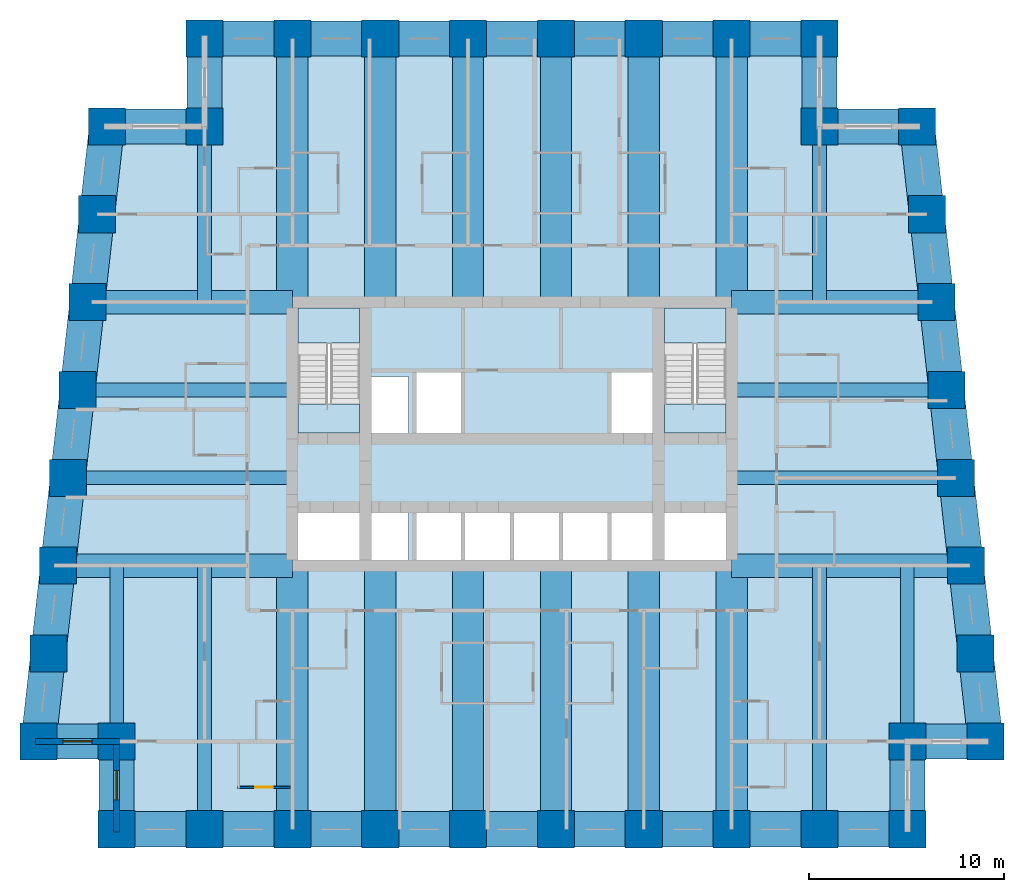
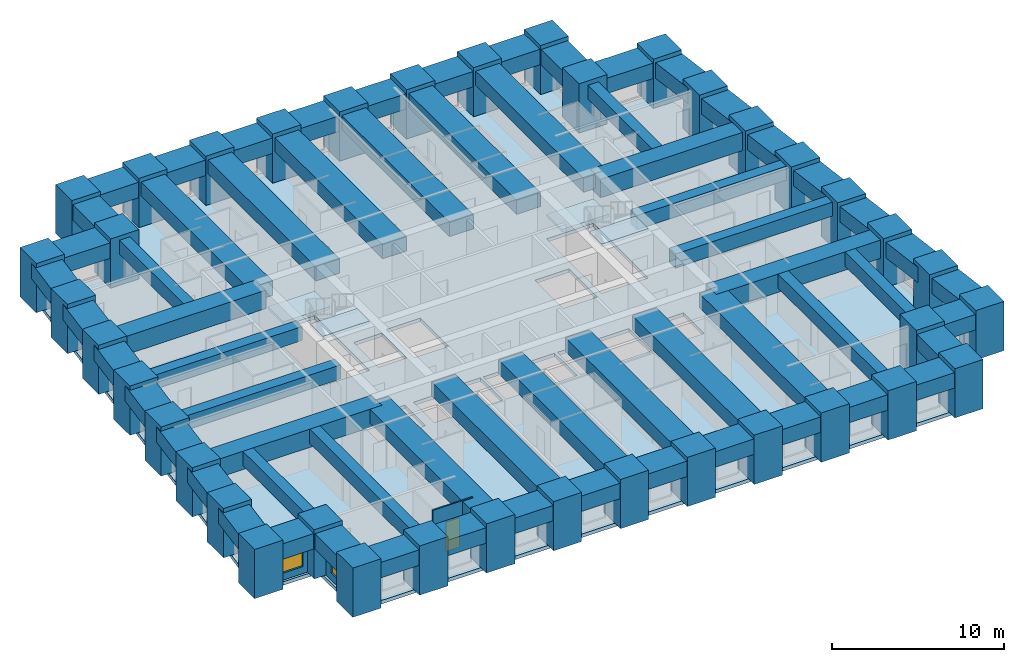
# One storey, part 1 of 8: 64 beams, 38 columns, 5 slabs, 3 walls, 2 windows, 1 door, 3 openings, 2 elements without a shape of their own.
"""IFC4 building model written with IfcOpenShell, lengths in metres."""

from ifc_helpers import new_model, si_unit, direction, frame, frame_2d, origin, origin_2d, place, context, subcontext, project, spatial, polyline, rectangle, outline, extrude, material, layer, layer_set, material_profile, profile_set, type_object, element, fill, aggregate, save


model = new_model("IFC4")

# Units and contexts
model_context = context("Model", 3, precision=1e-05, world=origin(), true_north=direction((0.0, 1.0)))
body_context = subcontext(model_context, "Body", "Model", "MODEL_VIEW")
ifc_project = project(units=[si_unit("LENGTHUNIT", "METRE"), si_unit("AREAUNIT", "SQUARE_METRE"), si_unit("VOLUMEUNIT", "CUBIC_METRE"), si_unit("PLANEANGLEUNIT", "RADIAN"), si_unit("MASSUNIT", "GRAM", prefix="KILO")], contexts=[model_context])

# Site, building, storey
site_placement = place(None, origin())
site = spatial("IfcSite", under=ifc_project, at=site_placement, CompositionType="ELEMENT")
building_placement = place(site_placement, origin())
building = spatial("IfcBuilding", under=site, at=building_placement, Name="Kilele Tower Hotel", CompositionType="ELEMENT")
storey_placement = place(building_placement, frame((0.0, 0.0, 82.199951171875)))
storey = spatial("IfcBuildingStorey", under=building, at=storey_placement, Name="L20", CompositionType="ELEMENT", Elevation=82.199951171875)

# Columns
ifc_material_1 = material(Name="Concrete C80/95", Category="concrete")
ifc_material_profile_1 = material_profile(ifc_material_1, rectangle(XDim=1.89990234375, YDim=1.89990234375, at=origin_2d()))
ifc_profile_set_1 = profile_set([ifc_material_profile_1], Name="Concrete C80/95")
column_type = type_object("IfcColumnType", Name="Tube column RC 1900x1900 C80/95", PredefinedType="COLUMN", material=ifc_profile_set_1)
for number, where, z_axis, x_axis, name in (
    (1, (0.5, 4.5, 0.0), (0.0, 0.0, 1.0), (1.0, 0.0, 0.0), "Column TC1 L20"),
    (2, (4.5, 4.5, 0.0), (0.0, 0.0, 1.0), (1.0, 0.0, 0.0), "Column TC1 L20"),
    (3, (4.5, 0.0, 0.0), (0.0, 0.0, 1.0), (1.0, 0.0, 0.0), "Column TC1 L20"),
    (4, (9.0, 0.0, 0.0), (0.0, 0.0, 1.0), (1.0, 0.0, 0.0), "Column TC1 L20"),
    (5, (13.5, 0.0, 0.0), (0.0, 0.0, 1.0), (1.0, 0.0, 0.0), "Column TC1 L20"),
    (6, (18.0, 0.0, 0.0), (0.0, 0.0, 1.0), (1.0, 0.0, 0.0), "Column TC1 L20"),
    (7, (22.5, 0.0, 0.0), (0.0, 0.0, 1.0), (1.0, 0.0, 0.0), "Column TC1 L20"),
    (8, (27.0, 0.0, 0.0), (0.0, 0.0, 1.0), (1.0, 0.0, 0.0), "Column TC1 L20"),
    (9, (31.5, 0.0, 0.0), (0.0, 0.0, 1.0), (1.0, 0.0, 0.0), "Column TC1 L20"),
    (10, (36.0, 0.0, 0.0), (0.0, 0.0, 1.0), (1.0, 0.0, 0.0), "Column TC1 L20"),
    (11, (40.5, 0.0, 0.0), (0.0, 0.0, 1.0), (1.0, 0.0, 0.0), "Column TC1 L20"),
    (12, (45.0, 0.0, 0.0), (0.0, 0.0, 1.0), (1.0, 0.0, 0.0), "Column TC1 L20"),
    (13, (45.0, 4.5, 0.0), (0.0, 0.0, 1.0), (1.0, 0.0, 0.0), "Column TC1 L20"),
    (14, (49.0, 4.5, 0.0), (0.0, 0.0, 1.0), (1.0, 0.0, 0.0), "Column TC1 L20"),
    (15, (48.5, 9.0, 0.0), (0.0, 0.0, 1.0), (1.0, 0.0, 0.0), "Column TC1 L20"),
    (16, (48.0, 13.5, 0.0), (0.0, 0.0, 1.0), (1.0, 0.0, 0.0), "Column TC1 L20"),
    (17, (47.5, 18.0, 0.0), (0.0, 0.0, 1.0), (1.0, 0.0, 0.0), "Column TC1 L20"),
    (18, (47.0, 22.5, 0.0), (0.0, 0.0, 1.0), (1.0, 0.0, 0.0), "Column TC1 L20"),
    (19, (46.5, 27.0, 0.0), (0.0, 0.0, 1.0), (1.0, 0.0, 0.0), "Column TC1 L20"),
    (20, (46.0, 31.5, 0.0), (0.0, 0.0, 1.0), (1.0, 0.0, 0.0), "Column TC1 L20"),
    (21, (45.5, 36.0, 0.0), (0.0, 0.0, 1.0), (1.0, 0.0, 0.0), "Column TC1 L20"),
    (22, (40.5, 36.0, 0.0), (0.0, 0.0, 1.0), (1.0, 0.0, 0.0), "Column TC1 L20"),
    (23, (40.5, 40.5, 0.0), (0.0, 0.0, 1.0), (1.0, 0.0, 0.0), "Column TC1 L20"),
    (24, (36.0, 40.5, 0.0), (0.0, 0.0, 1.0), (1.0, 0.0, 0.0), "Column TC1 L20"),
    (25, (31.5, 40.5, 0.0), (0.0, 0.0, 1.0), (1.0, 0.0, 0.0), "Column TC1 L20"),
    (26, (27.0, 40.5, 0.0), (0.0, 0.0, 1.0), (1.0, 0.0, 0.0), "Column TC1 L20"),
    (27, (22.5, 40.5, 0.0), (0.0, 0.0, 1.0), (1.0, 0.0, 0.0), "Column TC1 L20"),
    (28, (18.0, 40.5, 0.0), (0.0, 0.0, 1.0), (1.0, 0.0, 0.0), "Column TC1 L20"),
    (29, (13.5, 40.5, 0.0), (0.0, 0.0, 1.0), (1.0, 0.0, 0.0), "Column TC1 L20"),
    (30, (9.0, 40.5, 0.0), (0.0, 0.0, 1.0), (1.0, 0.0, 0.0), "Column TC1 L20"),
    (31, (9.0, 36.0, 0.0), (0.0, 0.0, 1.0), (1.0, 0.0, 0.0), "Column TC1 L20"),
    (32, (4.0, 36.0, 0.0), (0.0, 0.0, 1.0), (1.0, 0.0, 0.0), "Column TC1 L20"),
    (33, (3.5, 31.5, 0.0), (0.0, 0.0, 1.0), (1.0, 0.0, 0.0), "Column TC1 L20"),
    (34, (3.0, 27.0, 0.0), (0.0, 0.0, 1.0), (1.0, 0.0, 0.0), "Column TC1 L20"),
    (35, (2.5, 22.5, 0.0), (0.0, 0.0, 1.0), (1.0, 0.0, 0.0), "Column TC1 L20"),
    (36, (2.0, 18.0, 0.0), (0.0, 0.0, 1.0), (1.0, 0.0, 0.0), "Column TC1 L20"),
    (37, (1.5, 13.5, 0.0), (0.0, 0.0, 1.0), (1.0, 0.0, 0.0), "Column TC1 L20"),
    (38, (1.0, 9.0, 0.0), (0.0, 0.0, 1.0), (1.0, 0.0, 0.0), "Column TC1 L20"),
):
    element("IfcColumn", number, at=place(storey_placement, frame(where, z_axis=z_axis, x_axis=x_axis)), inside=storey, type_object=column_type, Name=name, PredefinedType="COLUMN", context=body_context, shape_type="SweptSolid", body=[
        extrude(rectangle(XDim=1.89990234375, YDim=1.89990234375, at=origin_2d()), origin(), (0.0, 0.0, 1.0), 3.5),
    ])

# Beams
ifc_material_2 = material(Name="Concrete C60/75", Category="concrete")
ifc_material_profile_2 = material_profile(ifc_material_2, rectangle(XDim=1.60009765625, YDim=1.0, at=origin_2d()))
ifc_profile_set_2 = profile_set([ifc_material_profile_2], Name="Concrete C60/75")
beam_type_1 = type_object("IfcBeamType", Name="Beam RC 1600x1000 C60/75", PredefinedType="BEAM", material=ifc_profile_set_2)
for number, where, z_axis, x_axis, name in (
    (39, (13.5, 0.0, 2.699951171875), (0.0, 1.0, 0.0), (-1.0, 0.0, 0.0), "Beam BC1 level L21"),
    (40, (18.0, 0.0, 2.699951171875), (0.0, 1.0, 0.0), (-1.0, 0.0, 0.0), "Beam BC1 level L21"),
    (41, (22.5, 0.0, 2.699951171875), (0.0, 1.0, 0.0), (-1.0, 0.0, 0.0), "Beam BC1 level L21"),
    (42, (27.0, 0.0, 2.699951171875), (0.0, 1.0, 0.0), (-1.0, 0.0, 0.0), "Beam BC1 level L21"),
    (43, (31.5, 0.0, 2.699951171875), (0.0, 1.0, 0.0), (-1.0, 0.0, 0.0), "Beam BC1 level L21"),
    (44, (36.0, 0.0, 2.699951171875), (0.0, 1.0, 0.0), (-1.0, 0.0, 0.0), "Beam BC1 level L21"),
    (45, (36.0, 40.5, 2.699951171875), (0.0, -1.0, 0.0), (1.0, 0.0, 0.0), "Beam BC1 level L21"),
    (46, (31.5, 40.5, 2.699951171875), (0.0, -1.0, 0.0), (1.0, 0.0, 0.0), "Beam BC1 level L21"),
    (47, (27.0, 40.5, 2.699951171875), (0.0, -1.0, 0.0), (1.0, 0.0, 0.0), "Beam BC1 level L21"),
    (48, (22.5, 40.5, 2.699951171875), (0.0, -1.0, 0.0), (1.0, 0.0, 0.0), "Beam BC1 level L21"),
    (49, (18.0, 40.5, 2.699951171875), (0.0, -1.0, 0.0), (1.0, 0.0, 0.0), "Beam BC1 level L21"),
    (50, (13.5, 40.5, 2.699951171875), (0.0, -1.0, 0.0), (1.0, 0.0, 0.0), "Beam BC1 level L21"),
):
    element("IfcBeam", number, at=place(storey_placement, frame(where, z_axis=z_axis, x_axis=x_axis)), inside=storey, type_object=beam_type_1, Name=name, PredefinedType="BEAM", context=body_context, shape_type="SweptSolid", body=[
        extrude(rectangle(XDim=1.60009765625, YDim=1.0, at=origin_2d()), origin(), (0.0, 0.0, 1.0), 13.5),
    ])
ifc_material_3 = material(Name="Concrete C60/75", Category="concrete")
ifc_material_profile_3 = material_profile(ifc_material_3, rectangle(XDim=0.699951171875, YDim=1.0, at=origin_2d()))
ifc_profile_set_3 = profile_set([ifc_material_profile_3], Name="Concrete C60/75")
beam_type_2 = type_object("IfcBeamType", Name="Beam RC 700x1000 C60/75", PredefinedType="BEAM", material=ifc_profile_set_3)
for number, where, z_axis, x_axis, name in (
    (51, (9.0, 0.0, 2.699951171875), (0.0, 1.0, 0.0), (-1.0, 0.0, 0.0), "Beam B4 level L21"),
    (52, (40.5, 0.0, 2.699951171875), (0.0, 1.0, 0.0), (-1.0, 0.0, 0.0), "Beam B4 level L21"),
):
    element("IfcBeam", number, at=place(storey_placement, frame(where, z_axis=z_axis, x_axis=x_axis)), inside=storey, type_object=beam_type_2, Name=name, PredefinedType="BEAM", context=body_context, shape_type="SweptSolid", body=[
        extrude(rectangle(XDim=0.699951171875, YDim=1.0, at=origin_2d()), origin(), (0.0, 0.0, 1.0), 13.5),
    ])
ifc_material_4 = material(Name="Concrete C60/75", Category="concrete")
ifc_material_profile_4 = material_profile(ifc_material_4, rectangle(XDim=0.699951171875, YDim=1.0, at=origin_2d()))
ifc_profile_set_4 = profile_set([ifc_material_profile_4], Name="Concrete C60/75")
beam_type_3 = type_object("IfcBeamType", Name="Beam RC 700x1000 C60/75 mid span", PredefinedType="BEAM", material=ifc_profile_set_4)
for number, where, z_axis, x_axis, name in (
    (53, (4.5, 4.5, 2.699951171875), (0.0, 1.0, 0.0), (-1.0, 0.0, 0.0), "Beam B5 level L21"),
    (54, (45.0, 4.5, 2.699951171875), (0.0, 1.0, 0.0), (-1.0, 0.0, 0.0), "Beam B5 level L21"),
):
    element("IfcBeam", number, at=place(storey_placement, frame(where, z_axis=z_axis, x_axis=x_axis)), inside=storey, type_object=beam_type_3, Name=name, PredefinedType="BEAM", context=body_context, shape_type="SweptSolid", body=[
        extrude(rectangle(XDim=0.699951171875, YDim=1.0, at=origin_2d()), origin(), (0.0, 0.0, 1.0), 9.0),
    ])
beam_1_placement = place(storey_placement, frame((47.5, 18.0, 2.699951171875), z_axis=(-1.0, 0.0, 0.0), x_axis=(0.0, -1.0, 0.0)))
element("IfcBeam", 55, at=beam_1_placement, inside=storey, type_object=beam_type_3, Name="Beam B5 level L21", PredefinedType="BEAM", context=body_context, shape_type="SweptSolid", body=[
    extrude(rectangle(XDim=0.699951171875, YDim=1.0, at=origin_2d()), origin(), (0.0, 0.0, 1.0), 11.5),
])
beam_2_placement = place(storey_placement, frame((47.0, 22.5, 2.699951171875), z_axis=(-1.0, 0.0, 0.0), x_axis=(0.0, -1.0, 0.0)))
element("IfcBeam", 56, at=beam_2_placement, inside=storey, type_object=beam_type_3, Name="Beam B5 level L21", PredefinedType="BEAM", context=body_context, shape_type="SweptSolid", body=[
    extrude(rectangle(XDim=0.699951171875, YDim=1.0, at=origin_2d()), origin(), (0.0, 0.0, 1.0), 11.0),
])
for number, where, z_axis, x_axis, name in (
    (57, (40.5, 36.0, 2.699951171875), (0.0, -1.0, 0.0), (1.0, 0.0, 0.0), "Beam B5 level L21"),
    (58, (9.0, 36.0, 2.699951171875), (0.0, -1.0, 0.0), (1.0, 0.0, 0.0), "Beam B5 level L21"),
):
    element("IfcBeam", number, at=place(storey_placement, frame(where, z_axis=z_axis, x_axis=x_axis)), inside=storey, type_object=beam_type_3, Name=name, PredefinedType="BEAM", context=body_context, shape_type="SweptSolid", body=[
        extrude(rectangle(XDim=0.699951171875, YDim=1.0, at=origin_2d()), origin(), (0.0, 0.0, 1.0), 9.0),
    ])
beam_3_placement = place(storey_placement, frame((2.5, 22.5, 2.699951171875), z_axis=(1.0, 0.0, 0.0), x_axis=(0.0, 1.0, 0.0)))
element("IfcBeam", 59, at=beam_3_placement, inside=storey, type_object=beam_type_3, Name="Beam B5 level L21", PredefinedType="BEAM", context=body_context, shape_type="SweptSolid", body=[
    extrude(rectangle(XDim=0.699951171875, YDim=1.0, at=origin_2d()), origin(), (0.0, 0.0, 1.0), 11.0),
])
beam_4_placement = place(storey_placement, frame((2.0, 18.0, 2.699951171875), z_axis=(1.0, 0.0, 0.0), x_axis=(0.0, 1.0, 0.0)))
element("IfcBeam", 60, at=beam_4_placement, inside=storey, type_object=beam_type_3, Name="Beam B5 level L21", PredefinedType="BEAM", context=body_context, shape_type="SweptSolid", body=[
    extrude(rectangle(XDim=0.699951171875, YDim=1.0, at=origin_2d()), origin(), (0.0, 0.0, 1.0), 11.5),
])
ifc_material_5 = material(Name="Concrete C60/75", Category="concrete")
ifc_material_profile_5 = material_profile(ifc_material_5, rectangle(XDim=1.199951171875, YDim=1.300048828125, at=origin_2d()))
ifc_profile_set_5 = profile_set([ifc_material_profile_5], Name="Concrete C60/75")
beam_type_4 = type_object("IfcBeamType", Name="Girder RC 1200x1300 C60/75", PredefinedType="BEAM", material=ifc_profile_set_5)
for number, where, z_axis, x_axis, name in (
    (61, (48.0, 13.5, 2.550048828125), (-1.0, 0.0, 0.0), (0.0, -1.0, 0.0), "Girder G1 level L21"),
    (62, (1.5, 13.5, 2.550048828125), (1.0, 0.0, 0.0), (0.0, 1.0, 0.0), "Girder G1 level L21"),
):
    element("IfcBeam", number, at=place(storey_placement, frame(where, z_axis=z_axis, x_axis=x_axis)), inside=storey, type_object=beam_type_4, Name=name, PredefinedType="BEAM", context=body_context, shape_type="SweptSolid", body=[
        extrude(rectangle(XDim=1.199951171875, YDim=1.300048828125, at=origin_2d()), origin(), (0.0, 0.0, 1.0), 12.0),
    ])
ifc_material_6 = material(Name="Concrete C60/75", Category="concrete")
ifc_material_profile_6 = material_profile(ifc_material_6, rectangle(XDim=1.199951171875, YDim=1.300048828125, at=origin_2d()))
ifc_profile_set_6 = profile_set([ifc_material_profile_6], Name="Concrete C60/75")
beam_type_5 = type_object("IfcBeamType", Name="Girder RC 1200x1300 C60/75 mid span", PredefinedType="BEAM", material=ifc_profile_set_6)
for number, where, z_axis, x_axis, name in (
    (63, (46.5, 27.0, 2.550048828125), (-1.0, 0.0, 0.0), (0.0, -1.0, 0.0), "Girder G3 level L21"),
    (64, (3.0, 27.0, 2.550048828125), (1.0, 0.0, 0.0), (0.0, 1.0, 0.0), "Girder G3 level L21"),
):
    element("IfcBeam", number, at=place(storey_placement, frame(where, z_axis=z_axis, x_axis=x_axis)), inside=storey, type_object=beam_type_5, Name=name, PredefinedType="BEAM", context=body_context, shape_type="SweptSolid", body=[
        extrude(rectangle(XDim=1.199951171875, YDim=1.300048828125, at=origin_2d()), origin(), (0.0, 0.0, 1.0), 10.5),
    ])
ifc_material_7 = material(Name="Concrete C60/75", Category="concrete")
ifc_material_profile_7 = material_profile(ifc_material_7, rectangle(XDim=1.800048828125, YDim=1.10009765625, at=origin_2d()))
ifc_profile_set_7 = profile_set([ifc_material_profile_7], Name="Concrete C60/75")
beam_type_6 = type_object("IfcBeamType", Name="Spandrel RC 1800x1100 C60/75", PredefinedType="SPANDREL", material=ifc_profile_set_7)
beam_5_placement = place(storey_placement, frame((0.5, 4.5, 2.650146484375), z_axis=(1.0, 0.0, 0.0), x_axis=(0.0, 1.0, 0.0)))
element("IfcBeam", 65, at=beam_5_placement, inside=storey, type_object=beam_type_6, Name="Spandrel SP4 level L21", PredefinedType="SPANDREL", context=body_context, shape_type="SweptSolid", body=[
    extrude(rectangle(XDim=1.800048828125, YDim=1.10009765625, at=origin_2d()), origin(), (0.0, 0.0, 1.0), 4.0),
])
for number, where, z_axis, x_axis, name in (
    (66, (4.5, 4.5, 2.650146484375), (0.0, -1.0, 0.0), (1.0, 0.0, 0.0), "Spandrel SP4 level L21"),
    (67, (4.5, 0.0, 2.650146484375), (1.0, 0.0, 0.0), (0.0, 1.0, 0.0), "Spandrel SP4 level L21"),
    (68, (9.0, 0.0, 2.650146484375), (1.0, 0.0, 0.0), (0.0, 1.0, 0.0), "Spandrel SP4 level L21"),
    (69, (13.5, 0.0, 2.650146484375), (1.0, 0.0, 0.0), (0.0, 1.0, 0.0), "Spandrel SP4 level L21"),
    (70, (18.0, 0.0, 2.650146484375), (1.0, 0.0, 0.0), (0.0, 1.0, 0.0), "Spandrel SP4 level L21"),
    (71, (22.5, 0.0, 2.650146484375), (1.0, 0.0, 0.0), (0.0, 1.0, 0.0), "Spandrel SP4 level L21"),
    (72, (27.0, 0.0, 2.650146484375), (1.0, 0.0, 0.0), (0.0, 1.0, 0.0), "Spandrel SP4 level L21"),
    (73, (31.5, 0.0, 2.650146484375), (1.0, 0.0, 0.0), (0.0, 1.0, 0.0), "Spandrel SP4 level L21"),
    (74, (36.0, 0.0, 2.650146484375), (1.0, 0.0, 0.0), (0.0, 1.0, 0.0), "Spandrel SP4 level L21"),
    (75, (40.5, 0.0, 2.650146484375), (1.0, 0.0, 0.0), (0.0, 1.0, 0.0), "Spandrel SP4 level L21"),
    (76, (45.0, 0.0, 2.650146484375), (0.0, 1.0, 0.0), (-1.0, 0.0, 0.0), "Spandrel SP4 level L21"),
):
    element("IfcBeam", number, at=place(storey_placement, frame(where, z_axis=z_axis, x_axis=x_axis)), inside=storey, type_object=beam_type_6, Name=name, PredefinedType="SPANDREL", context=body_context, shape_type="SweptSolid", body=[
        extrude(rectangle(XDim=1.800048828125, YDim=1.10009765625, at=origin_2d()), origin(), (0.0, 0.0, 1.0), 4.5),
    ])
beam_6_placement = place(storey_placement, frame((45.0, 4.5, 2.650146484375), z_axis=(1.0, 0.0, 0.0), x_axis=(0.0, 1.0, 0.0)))
element("IfcBeam", 77, at=beam_6_placement, inside=storey, type_object=beam_type_6, Name="Spandrel SP4 level L21", PredefinedType="SPANDREL", context=body_context, shape_type="SweptSolid", body=[
    extrude(rectangle(XDim=1.800048828125, YDim=1.10009765625, at=origin_2d()), origin(), (0.0, 0.0, 1.0), 4.0),
])
for number, where, z_axis, x_axis, name in (
    (78, (49.0, 4.5, 2.650146484375), (-0.110431526075, 0.993883734674, 0.0), (-0.993883734674, -0.110431526075, 0.0), "Spandrel SP4 level L21"),
    (79, (48.5, 9.0, 2.650146484375), (-0.110431526075, 0.993883734674, 0.0), (-0.993883734674, -0.110431526075, 0.0), "Spandrel SP4 level L21"),
    (80, (48.0, 13.5, 2.650146484375), (-0.110431526075, 0.993883734674, 0.0), (-0.993883734674, -0.110431526075, 0.0), "Spandrel SP4 level L21"),
    (81, (47.5, 18.0, 2.650146484375), (-0.110431526075, 0.993883734674, 0.0), (-0.993883734674, -0.110431526075, 0.0), "Spandrel SP4 level L21"),
    (82, (47.0, 22.5, 2.650146484375), (-0.110431526075, 0.993883734674, 0.0), (-0.993883734674, -0.110431526075, 0.0), "Spandrel SP4 level L21"),
    (83, (46.5, 27.0, 2.650146484375), (-0.110431526075, 0.993883734674, 0.0), (-0.993883734674, -0.110431526075, 0.0), "Spandrel SP4 level L21"),
    (84, (46.0, 31.5, 2.650146484375), (-0.110431526075, 0.993883734674, 0.0), (-0.993883734674, -0.110431526075, 0.0), "Spandrel SP4 level L21"),
):
    element("IfcBeam", number, at=place(storey_placement, frame(where, z_axis=z_axis, x_axis=x_axis)), inside=storey, type_object=beam_type_6, Name=name, PredefinedType="SPANDREL", context=body_context, shape_type="SweptSolid", body=[
        extrude(rectangle(XDim=1.800048828125, YDim=1.10009765625, at=origin_2d()), origin(), (0.0, 0.0, 1.0), 4.527587890625),
    ])
beam_7_placement = place(storey_placement, frame((45.5, 36.0, 2.650146484375), z_axis=(-1.0, 0.0, 0.0), x_axis=(0.0, -1.0, 0.0)))
element("IfcBeam", 85, at=beam_7_placement, inside=storey, type_object=beam_type_6, Name="Spandrel SP4 level L21", PredefinedType="SPANDREL", context=body_context, shape_type="SweptSolid", body=[
    extrude(rectangle(XDim=1.800048828125, YDim=1.10009765625, at=origin_2d()), origin(), (0.0, 0.0, 1.0), 5.0),
])
for number, where, z_axis, x_axis, name in (
    (86, (40.5, 36.0, 2.650146484375), (0.0, 1.0, 0.0), (-1.0, 0.0, 0.0), "Spandrel SP4 level L21"),
    (87, (40.5, 40.5, 2.650146484375), (-1.0, 0.0, 0.0), (0.0, -1.0, 0.0), "Spandrel SP4 level L21"),
    (88, (36.0, 40.5, 2.650146484375), (-1.0, 0.0, 0.0), (0.0, -1.0, 0.0), "Spandrel SP4 level L21"),
    (89, (31.5, 40.5, 2.650146484375), (-1.0, 0.0, 0.0), (0.0, -1.0, 0.0), "Spandrel SP4 level L21"),
    (90, (27.0, 40.5, 2.650146484375), (-1.0, 0.0, 0.0), (0.0, -1.0, 0.0), "Spandrel SP4 level L21"),
    (91, (22.5, 40.5, 2.650146484375), (-1.0, 0.0, 0.0), (0.0, -1.0, 0.0), "Spandrel SP4 level L21"),
    (92, (18.0, 40.5, 2.650146484375), (-1.0, 0.0, 0.0), (0.0, -1.0, 0.0), "Spandrel SP4 level L21"),
    (93, (13.5, 40.5, 2.650146484375), (-1.0, 0.0, 0.0), (0.0, -1.0, 0.0), "Spandrel SP4 level L21"),
    (94, (9.0, 40.5, 2.650146484375), (0.0, -1.0, 0.0), (1.0, 0.0, 0.0), "Spandrel SP4 level L21"),
):
    element("IfcBeam", number, at=place(storey_placement, frame(where, z_axis=z_axis, x_axis=x_axis)), inside=storey, type_object=beam_type_6, Name=name, PredefinedType="SPANDREL", context=body_context, shape_type="SweptSolid", body=[
        extrude(rectangle(XDim=1.800048828125, YDim=1.10009765625, at=origin_2d()), origin(), (0.0, 0.0, 1.0), 4.5),
    ])
beam_8_placement = place(storey_placement, frame((9.0, 36.0, 2.650146484375), z_axis=(-1.0, 0.0, 0.0), x_axis=(0.0, -1.0, 0.0)))
element("IfcBeam", 95, at=beam_8_placement, inside=storey, type_object=beam_type_6, Name="Spandrel SP4 level L21", PredefinedType="SPANDREL", context=body_context, shape_type="SweptSolid", body=[
    extrude(rectangle(XDim=1.800048828125, YDim=1.10009765625, at=origin_2d()), origin(), (0.0, 0.0, 1.0), 5.0),
])
for number, where, z_axis, x_axis, name in (
    (96, (4.0, 36.0, 2.650146484375), (-0.110431526075, -0.993883734674, 0.0), (0.993883734674, -0.110431526075, 0.0), "Spandrel SP4 level L21"),
    (97, (3.5, 31.5, 2.650146484375), (-0.110431526075, -0.993883734674, 0.0), (0.993883734674, -0.110431526075, 0.0), "Spandrel SP4 level L21"),
    (98, (3.0, 27.0, 2.650146484375), (-0.110431526075, -0.993883734674, 0.0), (0.993883734674, -0.110431526075, 0.0), "Spandrel SP4 level L21"),
    (99, (2.5, 22.5, 2.650146484375), (-0.110431526075, -0.993883734674, 0.0), (0.993883734674, -0.110431526075, 0.0), "Spandrel SP4 level L21"),
    (100, (2.0, 18.0, 2.650146484375), (-0.110431526075, -0.993883734674, 0.0), (0.993883734674, -0.110431526075, 0.0), "Spandrel SP4 level L21"),
    (101, (1.5, 13.5, 2.650146484375), (-0.110431526075, -0.993883734674, 0.0), (0.993883734674, -0.110431526075, 0.0), "Spandrel SP4 level L21"),
    (102, (1.0, 9.0, 2.650146484375), (-0.110431526075, -0.993883734674, 0.0), (0.993883734674, -0.110431526075, 0.0), "Spandrel SP4 level L21"),
):
    element("IfcBeam", number, at=place(storey_placement, frame(where, z_axis=z_axis, x_axis=x_axis)), inside=storey, type_object=beam_type_6, Name=name, PredefinedType="SPANDREL", context=body_context, shape_type="SweptSolid", body=[
        extrude(rectangle(XDim=1.800048828125, YDim=1.10009765625, at=origin_2d()), origin(), (0.0, 0.0, 1.0), 4.527587890625),
    ])

# Slab
ifc_material_8 = material(Name="Concrete C60/75", Category="concrete")
ifc_layer_1 = layer(ifc_material_8, 0.25)
ifc_layer_set_1 = layer_set([ifc_layer_1], Name="Concrete C60/75")
slab_type_1 = type_object("IfcSlabType", Name="Floor slab 250", PredefinedType="FLOOR", material=ifc_layer_set_1)
slab_1_placement = place(storey_placement, frame((0.0, 0.0, -0.25)))
element("IfcSlab", 103, at=slab_1_placement, inside=storey, type_object=slab_type_1, Name="Floor slab L20", PredefinedType="FLOOR", context=body_context, shape_type="SweptSolid", body=[
    extrude(outline(polyline([(8.699951171875, 36.300048828125), (8.699951171875, 40.800048828125), (40.800048828125, 40.800048828125), (40.800048828125, 36.300048828125), (45.7685546875, 36.300048828125), (49.335205078125, 4.199951171875), (45.300048828125, 4.199951171875), (45.300048828125, -0.300048828125), (4.199951171875, -0.300048828125), (4.199951171875, 4.199951171875), (0.164794921875, 4.199951171875), (3.7314453125, 36.300048828125), (8.699951171875, 36.300048828125)]), holes=[polyline([(16.949951171875, 16.199951171875), (13.800048828125, 16.199951171875), (13.800048828125, 13.800048828125), (16.949951171875, 13.800048828125), (16.949951171875, 16.199951171875)]), polyline([(19.449951171875, 13.800048828125), (19.449951171875, 16.199951171875), (17.550048828125, 16.199951171875), (17.550048828125, 13.800048828125), (19.449951171875, 13.800048828125)]), polyline([(22.14990234375, 13.800048828125), (22.14990234375, 16.39990234375), (19.85009765625, 16.39990234375), (19.85009765625, 13.800048828125), (22.14990234375, 13.800048828125)]), polyline([(24.64990234375, 16.39990234375), (22.35009765625, 16.39990234375), (22.35009765625, 13.800048828125), (24.64990234375, 13.800048828125), (24.64990234375, 16.39990234375)]), polyline([(19.449951171875, 20.300048828125), (19.449951171875, 23.199951171875), (17.550048828125, 23.199951171875), (17.550048828125, 20.300048828125), (19.449951171875, 20.300048828125)]), polyline([(22.14990234375, 20.10009765625), (22.14990234375, 23.39990234375), (19.85009765625, 23.39990234375), (19.85009765625, 20.10009765625), (22.14990234375, 20.10009765625)]), polyline([(16.949951171875, 26.699951171875), (13.800048828125, 26.699951171875), (13.800048828125, 20.300048828125), (16.949951171875, 20.300048828125), (16.949951171875, 26.699951171875)]), polyline([(35.699951171875, 13.800048828125), (35.699951171875, 16.199951171875), (32.550048828125, 16.199951171875), (32.550048828125, 13.800048828125), (35.699951171875, 13.800048828125)]), polyline([(27.14990234375, 13.800048828125), (27.14990234375, 16.39990234375), (24.85009765625, 16.39990234375), (24.85009765625, 13.800048828125), (27.14990234375, 13.800048828125)]), polyline([(29.64990234375, 13.800048828125), (29.64990234375, 16.39990234375), (27.35009765625, 16.39990234375), (27.35009765625, 13.800048828125), (29.64990234375, 13.800048828125)]), polyline([(32.14990234375, 13.800048828125), (32.14990234375, 16.39990234375), (29.85009765625, 16.39990234375), (29.85009765625, 13.800048828125), (32.14990234375, 13.800048828125)]), polyline([(32.14990234375, 20.10009765625), (32.14990234375, 23.39990234375), (29.85009765625, 23.39990234375), (29.85009765625, 20.10009765625), (32.14990234375, 20.10009765625)]), polyline([(35.699951171875, 20.300048828125), (35.699951171875, 26.699951171875), (32.550048828125, 26.699951171875), (32.550048828125, 20.300048828125), (35.699951171875, 20.300048828125)])]), origin(), (0.0, 0.0, 1.0), 0.25),
])

# Stair, slabs
ifc_material_9 = material(Name="Precast concrete C40/50", Category="concrete")
stair_type = type_object("IfcStairType", Name="Stair 1475 x 3500", PredefinedType="HALF_TURN_STAIR", material=ifc_material_9)
stair_1_placement = place(storey_placement, origin())
stair_1 = element("IfcStair", 104, at=stair_1_placement, inside=storey, type_object=stair_type, Name="Stair 1 L20", PredefinedType="HALF_TURN_STAIR")
ifc_material_10 = material(Name="Precast concrete C40/50", Category="concrete")
ifc_layer_2 = layer(ifc_material_10, 0.199951171875)
ifc_layer_set_2 = layer_set([ifc_layer_2], Name="Precast concrete C40/50")
slab_type_2 = type_object("IfcSlabType", Name="Stair landing 200", PredefinedType="LANDING", material=ifc_layer_set_2)
slab_2_placement = place(storey_placement, frame((0.0, 0.0, 1.550048828125)))
slab_2 = element("IfcSlab", 105, at=slab_2_placement, type_object=slab_type_2, Name="ST1 landing 1", PredefinedType="LANDING", context=body_context, shape_type="SweptSolid", body=[
    extrude(outline(polyline([(13.800048828125, 24.89501953125), (16.949951171875, 24.89501953125), (16.949951171875, 26.699951171875), (13.800048828125, 26.699951171875), (13.800048828125, 24.89501953125)])), origin(), (0.0, 0.0, 1.0), 0.199951171875),
])
slab_3_placement = place(storey_placement, frame((0.0, 0.0, 3.300048828125)))
slab_3 = element("IfcSlab", 106, at=slab_3_placement, type_object=slab_type_2, Name="ST1 landing 2", PredefinedType="LANDING", context=body_context, shape_type="SweptSolid", body=[
    extrude(outline(polyline([(13.800048828125, 20.300048828125), (16.949951171875, 20.300048828125), (16.949951171875, 21.77490234375), (13.800048828125, 21.77490234375), (13.800048828125, 20.300048828125)])), origin(), (0.0, 0.0, 1.0), 0.199951171875),
])
aggregate(stair_1, [slab_2, slab_3])

stair_2_placement = place(storey_placement, origin())
stair_2 = element("IfcStair", 107, at=stair_2_placement, inside=storey, type_object=stair_type, Name="Stair 2 L20", PredefinedType="HALF_TURN_STAIR")
slab_4_placement = place(storey_placement, frame((0.0, 0.0, 1.550048828125)))
slab_4 = element("IfcSlab", 108, at=slab_4_placement, type_object=slab_type_2, Name="ST2 landing 1", PredefinedType="LANDING", context=body_context, shape_type="SweptSolid", body=[
    extrude(outline(polyline([(32.550048828125, 24.89501953125), (35.699951171875, 24.89501953125), (35.699951171875, 26.699951171875), (32.550048828125, 26.699951171875), (32.550048828125, 24.89501953125)])), origin(), (0.0, 0.0, 1.0), 0.199951171875),
])
slab_5_placement = place(storey_placement, frame((0.0, 0.0, 3.300048828125)))
slab_5 = element("IfcSlab", 109, at=slab_5_placement, type_object=slab_type_2, Name="ST2 landing 2", PredefinedType="LANDING", context=body_context, shape_type="SweptSolid", body=[
    extrude(outline(polyline([(32.550048828125, 20.300048828125), (35.699951171875, 20.300048828125), (35.699951171875, 21.77490234375), (32.550048828125, 21.77490234375), (32.550048828125, 20.300048828125)])), origin(), (0.0, 0.0, 1.0), 0.199951171875),
])
aggregate(stair_2, [slab_4, slab_5])

# Wall, opening, door
ifc_material_11 = material(Name="Moisture-resistant board")
ifc_layer_3 = layer(ifc_material_11, 0.10009765625)
ifc_layer_set_3 = layer_set([ifc_layer_3], Name="Moisture-resistant board")
wall_type_1 = type_object("IfcWallType", Name="Bathroom partition 100", PredefinedType="PLUMBINGWALL", material=ifc_layer_set_3)
wall_1_placement = place(storey_placement, frame((13.39990234375, 2.14990234375, 0.0), z_axis=(0.0, 0.0, 1.0), x_axis=(-1.0, 0.0, 0.0)))
wall_1 = element("IfcWall", 110, at=wall_1_placement, inside=storey, type_object=wall_type_1, Name="Bathroom partition 100 L20", PredefinedType="PLUMBINGWALL", context=body_context, shape_type="SweptSolid", body=[
    extrude(rectangle(XDim=2.699951171875, YDim=0.10009765625, at=frame_2d((1.35009765625, 0.0))), origin(), (0.0, 0.0, 1.0), 3.25),
])
opening_1_placement = place(wall_1_placement, frame((0.89990234375, 0.0, 0.0)))
opening_1 = element("IfcOpeningElement", 111, at=opening_1_placement, cuts=wall_1, Name="Opening D2A", PredefinedType="OPENING", context=body_context, shape_type="SweptSolid", body=[
    extrude(rectangle(XDim=0.89990234375, YDim=2.10009765625, at=frame_2d((0.449951171875, 1.050048828125))), frame((0.0, 0.06005859375, 0.0), z_axis=(0.0, -1.0, 0.0), x_axis=(1.0, 0.0, 0.0)), (0.0, 0.0, 1.0), 0.1201171875),
])
ifc_material_12 = material(Name="Timber door leaf in hardwood frame", Category="wood")
door_type = type_object("IfcDoorType", Name="Bathroom door 900", OperationType="SINGLE_SWING_LEFT", PredefinedType="DOOR", material=ifc_material_12)
door_placement = place(opening_1_placement, origin())
door = element("IfcDoor", 112, at=door_placement, inside=storey, type_object=door_type, Name="Bathroom door 2019B", OperationType="SINGLE_SWING_LEFT", OverallHeight=2.10009765625, OverallWidth=0.89990234375, PredefinedType="DOOR", context=body_context, shape_type="SweptSolid", body=[
    extrude(rectangle(XDim=0.89990234375, YDim=2.10009765625, at=frame_2d((0.449951171875, 1.050048828125))), frame((0.0, 0.02490234375, 0.0), z_axis=(0.0, -1.0, 0.0), x_axis=(1.0, 0.0, 0.0)), (0.0, 0.0, 1.0), 0.050048828125),
])
fill(opening_1, door)

# Wall, opening, window
ifc_material_13 = material(Name="Concrete C40/50 precast", Category="concrete")
ifc_layer_4 = layer(ifc_material_13, 0.260009765625, Name="Precast backing", Category="LoadBearing")
ifc_material_14 = material(Name="Reconstituted stone finish", Category="masonry")
ifc_layer_5 = layer(ifc_material_14, 0.0400390625, Name="Face mix", Category="Finish")
ifc_layer_set_4 = layer_set([ifc_layer_4, ifc_layer_5], Name="Precast concrete C40/50, reconstituted stone finish")
wall_type_2 = type_object("IfcWallType", Name="Precast stone facade wall 300", PredefinedType="STANDARD", material=ifc_layer_set_4)
wall_2_placement = place(storey_placement, frame((0.35009765625, 4.5, 0.0), z_axis=(0.0, 0.0, 1.0), x_axis=(1.0, 0.0, 0.0)))
wall_2 = element("IfcWall", 113, at=wall_2_placement, inside=storey, type_object=wall_type_2, Name="Facade wall L20 edge 1", PredefinedType="STANDARD", context=body_context, shape_type="SweptSolid", body=[
    extrude(rectangle(XDim=4.2998046875, YDim=0.300048828125, at=frame_2d((2.14990234375, 0.0))), origin(), (0.0, 0.0, 1.0), 2.10009765625),
])
opening_2_placement = place(wall_2_placement, frame((1.39990234375, 0.0, 0.5)))
opening_2 = element("IfcOpeningElement", 114, at=opening_2_placement, cuts=wall_2, Name="Opening W1", PredefinedType="OPENING", context=body_context, shape_type="SweptSolid", body=[
    extrude(rectangle(XDim=1.5, YDim=1.39990234375, at=frame_2d((0.75, 0.699951171875))), frame((0.0, 0.159912109375, 0.0), z_axis=(0.0, -1.0, 0.0), x_axis=(1.0, 0.0, 0.0)), (0.0, 0.0, 1.0), 0.320068359375),
])
ifc_material_15 = material(Name="Aluminium frame, clear double glazing", Category="aluminium")
window_type = type_object("IfcWindowType", Name="Window W1 1500 x 1400", PartitioningType="SINGLE_PANEL", PredefinedType="WINDOW", material=ifc_material_15)
window_1_placement = place(opening_2_placement, origin())
window_1 = element("IfcWindow", 115, at=window_1_placement, inside=storey, type_object=window_type, Name="Window L20", OverallHeight=1.39990234375, OverallWidth=1.5, PartitioningType="SINGLE_PANEL", PredefinedType="WINDOW", context=body_context, shape_type="SweptSolid", body=[
    extrude(rectangle(XDim=1.5, YDim=1.39990234375, at=frame_2d((0.75, 0.699951171875))), frame((0.0, 0.030029296875, 0.0), z_axis=(0.0, -1.0, 0.0), x_axis=(1.0, 0.0, 0.0)), (0.0, 0.0, 1.0), 0.06005859375),
])
fill(opening_2, window_1)

wall_3_placement = place(storey_placement, frame((4.5, 4.64990234375, 0.0), z_axis=(0.0, 0.0, 1.0), x_axis=(0.0, -1.0, 0.0)))
wall_3 = element("IfcWall", 116, at=wall_3_placement, inside=storey, type_object=wall_type_2, Name="Facade wall L20 edge 2", PredefinedType="STANDARD", context=body_context, shape_type="SweptSolid", body=[
    extrude(rectangle(XDim=4.7998046875, YDim=0.300048828125, at=frame_2d((2.39990234375, 0.0))), origin(), (0.0, 0.0, 1.0), 2.10009765625),
])
opening_3_placement = place(wall_3_placement, frame((1.64990234375, 0.0, 0.5)))
opening_3 = element("IfcOpeningElement", 117, at=opening_3_placement, cuts=wall_3, Name="Opening W1", PredefinedType="OPENING", context=body_context, shape_type="SweptSolid", body=[
    extrude(rectangle(XDim=1.5, YDim=1.39990234375, at=frame_2d((0.75, 0.699951171875))), frame((0.0, 0.159912109375, 0.0), z_axis=(0.0, -1.0, 0.0), x_axis=(1.0, 0.0, 0.0)), (0.0, 0.0, 1.0), 0.320068359375),
])
window_2_placement = place(opening_3_placement, origin())
window_2 = element("IfcWindow", 118, at=window_2_placement, inside=storey, type_object=window_type, Name="Window L20", OverallHeight=1.39990234375, OverallWidth=1.5, PartitioningType="SINGLE_PANEL", PredefinedType="WINDOW", context=body_context, shape_type="SweptSolid", body=[
    extrude(rectangle(XDim=1.5, YDim=1.39990234375, at=frame_2d((0.75, 0.699951171875))), frame((0.0, 0.030029296875, 0.0), z_axis=(0.0, -1.0, 0.0), x_axis=(1.0, 0.0, 0.0)), (0.0, 0.0, 1.0), 0.06005859375),
])
fill(opening_3, window_2)

save(model, "model.ifc")
